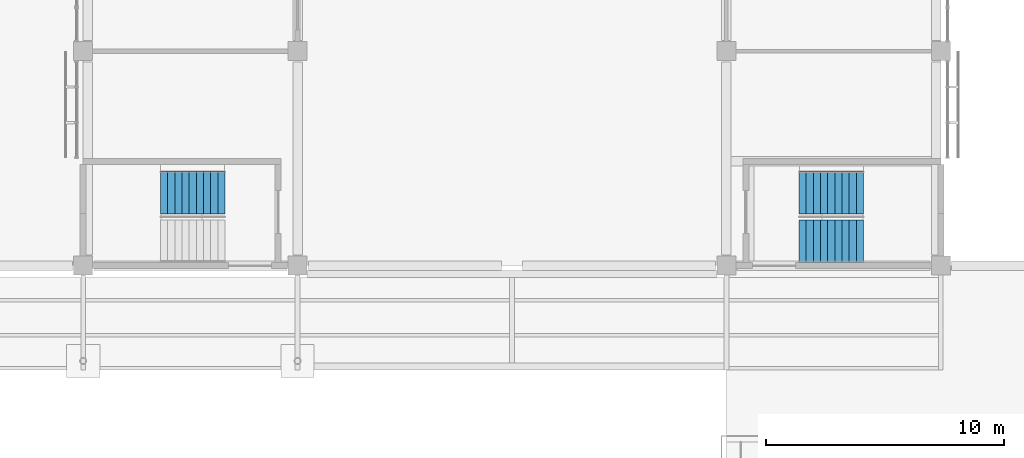
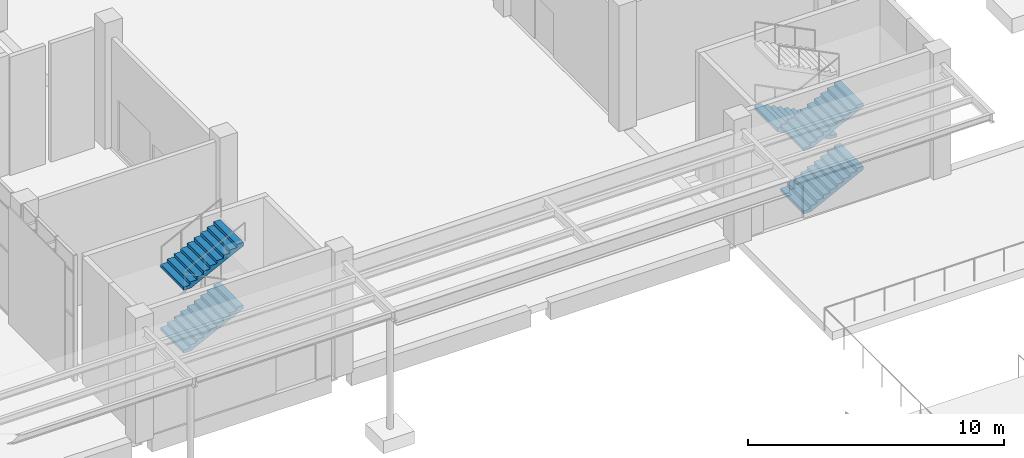
# One storey, part 69 of 86: 5 stair flights, 2 elements without a shape of their own.
"""IFC4 building model written with IfcOpenShell, lengths in metres."""

from ifc_helpers import new_model, si_unit, direction, frame, origin, place, context, subcontext, project, spatial, faceted_brep, material, type_object, element, aggregate, save


model = new_model("IFC4")

# Units and contexts
model_context = context("Model", 3, precision=1e-05, world=origin(), true_north=direction((0.0, 1.0)))
body_context = subcontext(model_context, "Body", "Model", "MODEL_VIEW")
ifc_project = project(units=[si_unit("LENGTHUNIT", "METRE"), si_unit("AREAUNIT", "SQUARE_METRE"), si_unit("VOLUMEUNIT", "CUBIC_METRE"), si_unit("PLANEANGLEUNIT", "RADIAN"), si_unit("MASSUNIT", "GRAM", prefix="KILO")], contexts=[model_context])

# Site, building, storey
site_placement = place(None, origin())
site = spatial("IfcSite", under=ifc_project, at=site_placement, CompositionType="ELEMENT")
building_placement = place(site_placement, origin())
building = spatial("IfcBuilding", under=site, at=building_placement, Name="Guidao Yard Department Store", CompositionType="ELEMENT")
storey_placement = place(building_placement, origin())
storey = spatial("IfcBuildingStorey", under=building, at=storey_placement, Name="L00", CompositionType="ELEMENT", Elevation=0.0)

# Stair, stair flights
ifc_material_1 = material(Name="Concrete C35", Category="concrete")
stair_type = type_object("IfcStairType", Name="Stair double-return four-flight 1800 wide 6.0 m rise", PredefinedType="DOUBLE_RETURN_STAIR", material=ifc_material_1)
stair_1_placement = place(storey_placement, origin())
stair_1 = element("IfcStair", 1, at=stair_1_placement, inside=storey, type_object=stair_type, Name="Stair G1 L00 to L01", PredefinedType="DOUBLE_RETURN_STAIR")
ifc_material_2 = material(Name="Concrete C35", Category="concrete")
stair_flight_type = type_object("IfcStairFlightType", Name="Stair flight RC straight 1800 wide 10 risers x 300 going C35", PredefinedType="STRAIGHT", material=ifc_material_2)
stair_flight_1_placement = place(storey_placement, frame((75.25, 48.074951171875, 1.5), z_axis=(0.0, 0.0, 1.0), x_axis=(1.0, 0.0, 0.0)))
stair_flight_1 = element("IfcStairFlight", 2, at=stair_flight_1_placement, type_object=stair_flight_type, Name="SG1-L00 flight 2", NumberOfRisers=10, NumberOfTreads=9, PredefinedType="STRAIGHT", RiserHeight=0.15, TreadLength=0.3, context=body_context, shape_type="Brep", body=[
    faceted_brep([(0.0, 0.89990234375, 0.0), (0.0, 0.89990234375, 0.14990234375), (0.300048828125, 0.89990234375, 0.14990234375), (0.300048828125, 0.89990234375, 0.300048828125), (0.60009765625, 0.89990234375, 0.300048828125), (0.60009765625, 0.89990234375, 0.449951171875), (0.89990234375, 0.89990234375, 0.449951171875), (0.89990234375, 0.89990234375, 0.60009765625), (1.199951171875, 0.89990234375, 0.60009765625), (1.199951171875, 0.89990234375, 0.75), (1.5, 0.89990234375, 0.75), (1.5, 0.89990234375, 0.89990234375), (1.800048828125, 0.89990234375, 0.89990234375), (1.800048828125, 0.89990234375, 1.050048828125), (2.10009765625, 0.89990234375, 1.050048828125), (2.10009765625, 0.89990234375, 1.199951171875), (2.39990234375, 0.89990234375, 1.199951171875), (2.39990234375, 0.89990234375, 1.35009765625), (2.699951171875, 0.89990234375, 1.35009765625), (2.699951171875, 0.89990234375, 1.182373046875), (0.335205078125, 0.89990234375, 0.0), (0.335205078125, -0.89990234375, 0.0), (2.699951171875, -0.89990234375, 1.182373046875), (2.699951171875, -0.89990234375, 1.35009765625), (2.39990234375, -0.89990234375, 1.35009765625), (2.39990234375, -0.89990234375, 1.199951171875), (2.10009765625, -0.89990234375, 1.199951171875), (2.10009765625, -0.89990234375, 1.050048828125), (1.800048828125, -0.89990234375, 1.050048828125), (1.800048828125, -0.89990234375, 0.89990234375), (1.5, -0.89990234375, 0.89990234375), (1.5, -0.89990234375, 0.75), (1.199951171875, -0.89990234375, 0.75), (1.199951171875, -0.89990234375, 0.60009765625), (0.89990234375, -0.89990234375, 0.60009765625), (0.89990234375, -0.89990234375, 0.449951171875), (0.60009765625, -0.89990234375, 0.449951171875), (0.60009765625, -0.89990234375, 0.300048828125), (0.300048828125, -0.89990234375, 0.300048828125), (0.300048828125, -0.89990234375, 0.14990234375), (0.0, -0.89990234375, 0.14990234375), (0.0, -0.89990234375, 0.0), (0.0, 0.300048828125, 0.0), (0.0, 0.300048828125, 0.14990234375), (0.0, -0.300048828125, 0.0), (0.0, -0.300048828125, 0.14990234375), (0.300048828125, 0.300048828125, 0.14990234375), (0.300048828125, -0.300048828125, 0.14990234375), (0.300048828125, 0.300048828125, 0.300048828125), (0.300048828125, -0.300048828125, 0.300048828125), (0.60009765625, 0.300048828125, 0.300048828125), (0.60009765625, -0.300048828125, 0.300048828125), (0.60009765625, 0.300048828125, 0.449951171875), (0.60009765625, -0.300048828125, 0.449951171875), (0.89990234375, 0.300048828125, 0.449951171875), (0.89990234375, -0.300048828125, 0.449951171875), (0.89990234375, 0.300048828125, 0.60009765625), (0.89990234375, -0.300048828125, 0.60009765625), (1.199951171875, 0.300048828125, 0.60009765625), (1.199951171875, -0.300048828125, 0.60009765625), (1.199951171875, 0.300048828125, 0.75), (1.199951171875, -0.300048828125, 0.75), (1.5, 0.300048828125, 0.75), (1.5, -0.300048828125, 0.75), (1.5, 0.300048828125, 0.89990234375), (1.5, -0.300048828125, 0.89990234375), (1.800048828125, 0.300048828125, 0.89990234375), (1.800048828125, -0.300048828125, 0.89990234375), (1.800048828125, 0.300048828125, 1.050048828125), (1.800048828125, -0.300048828125, 1.050048828125), (2.10009765625, 0.300048828125, 1.050048828125), (2.10009765625, -0.300048828125, 1.050048828125), (2.10009765625, 0.300048828125, 1.199951171875), (2.10009765625, -0.300048828125, 1.199951171875), (2.39990234375, 0.300048828125, 1.199951171875), (2.39990234375, -0.300048828125, 1.199951171875), (2.39990234375, 0.300048828125, 1.35009765625), (2.39990234375, -0.300048828125, 1.35009765625), (2.699951171875, 0.300048828125, 1.35009765625), (2.699951171875, -0.300048828125, 1.35009765625), (2.699951171875, 0.300048828125, 1.182373046875), (2.699951171875, -0.300048828125, 1.182373046875), (0.335205078125, 0.300048828125, 0.0), (0.335205078125, -0.300048828125, 0.0)], [[[0, 1, 2, 3, 4, 5, 6, 7, 8, 9, 10, 11, 12, 13, 14, 15, 16, 17, 18, 19, 20]], [[21, 22, 23, 24, 25, 26, 27, 28, 29, 30, 31, 32, 33, 34, 35, 36, 37, 38, 39, 40, 41]], [[42, 43, 1, 0]], [[44, 45, 43, 42]], [[41, 40, 45, 44]], [[43, 46, 2, 1]], [[45, 47, 46, 43]], [[40, 39, 47, 45]], [[46, 48, 3, 2]], [[47, 49, 48, 46]], [[39, 38, 49, 47]], [[48, 50, 4, 3]], [[49, 51, 50, 48]], [[38, 37, 51, 49]], [[50, 52, 5, 4]], [[51, 53, 52, 50]], [[37, 36, 53, 51]], [[52, 54, 6, 5]], [[53, 55, 54, 52]], [[36, 35, 55, 53]], [[54, 56, 7, 6]], [[55, 57, 56, 54]], [[35, 34, 57, 55]], [[56, 58, 8, 7]], [[57, 59, 58, 56]], [[34, 33, 59, 57]], [[58, 60, 9, 8]], [[59, 61, 60, 58]], [[33, 32, 61, 59]], [[60, 62, 10, 9]], [[61, 63, 62, 60]], [[32, 31, 63, 61]], [[62, 64, 11, 10]], [[63, 65, 64, 62]], [[31, 30, 65, 63]], [[64, 66, 12, 11]], [[65, 67, 66, 64]], [[30, 29, 67, 65]], [[66, 68, 13, 12]], [[67, 69, 68, 66]], [[29, 28, 69, 67]], [[68, 70, 14, 13]], [[69, 71, 70, 68]], [[28, 27, 71, 69]], [[70, 72, 15, 14]], [[71, 73, 72, 70]], [[27, 26, 73, 71]], [[72, 74, 16, 15]], [[73, 75, 74, 72]], [[26, 25, 75, 73]], [[74, 76, 17, 16]], [[75, 77, 76, 74]], [[25, 24, 77, 75]], [[76, 78, 18, 17]], [[77, 79, 78, 76]], [[24, 23, 79, 77]], [[78, 80, 19, 18]], [[79, 81, 80, 78]], [[23, 22, 81, 79]], [[80, 82, 20, 19]], [[81, 83, 82, 80]], [[22, 21, 83, 81]], [[82, 42, 0, 20]], [[83, 44, 42, 82]], [[21, 41, 44, 83]]]),
])
stair_flight_2_placement = place(storey_placement, frame((75.25, 48.074951171875, 4.5), z_axis=(0.0, 0.0, 1.0), x_axis=(1.0, 0.0, 0.0)))
stair_flight_2 = element("IfcStairFlight", 3, at=stair_flight_2_placement, type_object=stair_flight_type, Name="SG1-L00 flight 4", NumberOfRisers=10, NumberOfTreads=9, PredefinedType="STRAIGHT", RiserHeight=0.15, TreadLength=0.3, context=body_context, shape_type="Brep", body=[
    faceted_brep([(0.0, 0.89990234375, 0.0), (0.0, 0.89990234375, 0.14990234375), (0.300048828125, 0.89990234375, 0.14990234375), (0.300048828125, 0.89990234375, 0.300048828125), (0.60009765625, 0.89990234375, 0.300048828125), (0.60009765625, 0.89990234375, 0.449951171875), (0.89990234375, 0.89990234375, 0.449951171875), (0.89990234375, 0.89990234375, 0.60009765625), (1.199951171875, 0.89990234375, 0.60009765625), (1.199951171875, 0.89990234375, 0.75), (1.5, 0.89990234375, 0.75), (1.5, 0.89990234375, 0.89990234375), (1.800048828125, 0.89990234375, 0.89990234375), (1.800048828125, 0.89990234375, 1.050048828125), (2.10009765625, 0.89990234375, 1.050048828125), (2.10009765625, 0.89990234375, 1.199951171875), (2.39990234375, 0.89990234375, 1.199951171875), (2.39990234375, 0.89990234375, 1.35009765625), (2.699951171875, 0.89990234375, 1.35009765625), (2.699951171875, 0.89990234375, 1.182373046875), (0.335205078125, 0.89990234375, 0.0), (0.335205078125, -0.89990234375, 0.0), (2.699951171875, -0.89990234375, 1.182373046875), (2.699951171875, -0.89990234375, 1.35009765625), (2.39990234375, -0.89990234375, 1.35009765625), (2.39990234375, -0.89990234375, 1.199951171875), (2.10009765625, -0.89990234375, 1.199951171875), (2.10009765625, -0.89990234375, 1.050048828125), (1.800048828125, -0.89990234375, 1.050048828125), (1.800048828125, -0.89990234375, 0.89990234375), (1.5, -0.89990234375, 0.89990234375), (1.5, -0.89990234375, 0.75), (1.199951171875, -0.89990234375, 0.75), (1.199951171875, -0.89990234375, 0.60009765625), (0.89990234375, -0.89990234375, 0.60009765625), (0.89990234375, -0.89990234375, 0.449951171875), (0.60009765625, -0.89990234375, 0.449951171875), (0.60009765625, -0.89990234375, 0.300048828125), (0.300048828125, -0.89990234375, 0.300048828125), (0.300048828125, -0.89990234375, 0.14990234375), (0.0, -0.89990234375, 0.14990234375), (0.0, -0.89990234375, 0.0), (0.0, 0.300048828125, 0.0), (0.0, 0.300048828125, 0.14990234375), (0.0, -0.300048828125, 0.0), (0.0, -0.300048828125, 0.14990234375), (0.300048828125, 0.300048828125, 0.14990234375), (0.300048828125, -0.300048828125, 0.14990234375), (0.300048828125, 0.300048828125, 0.300048828125), (0.300048828125, -0.300048828125, 0.300048828125), (0.60009765625, 0.300048828125, 0.300048828125), (0.60009765625, -0.300048828125, 0.300048828125), (0.60009765625, 0.300048828125, 0.449951171875), (0.60009765625, -0.300048828125, 0.449951171875), (0.89990234375, 0.300048828125, 0.449951171875), (0.89990234375, -0.300048828125, 0.449951171875), (0.89990234375, 0.300048828125, 0.60009765625), (0.89990234375, -0.300048828125, 0.60009765625), (1.199951171875, 0.300048828125, 0.60009765625), (1.199951171875, -0.300048828125, 0.60009765625), (1.199951171875, 0.300048828125, 0.75), (1.199951171875, -0.300048828125, 0.75), (1.5, 0.300048828125, 0.75), (1.5, -0.300048828125, 0.75), (1.5, 0.300048828125, 0.89990234375), (1.5, -0.300048828125, 0.89990234375), (1.800048828125, 0.300048828125, 0.89990234375), (1.800048828125, -0.300048828125, 0.89990234375), (1.800048828125, 0.300048828125, 1.050048828125), (1.800048828125, -0.300048828125, 1.050048828125), (2.10009765625, 0.300048828125, 1.050048828125), (2.10009765625, -0.300048828125, 1.050048828125), (2.10009765625, 0.300048828125, 1.199951171875), (2.10009765625, -0.300048828125, 1.199951171875), (2.39990234375, 0.300048828125, 1.199951171875), (2.39990234375, -0.300048828125, 1.199951171875), (2.39990234375, 0.300048828125, 1.35009765625), (2.39990234375, -0.300048828125, 1.35009765625), (2.699951171875, 0.300048828125, 1.35009765625), (2.699951171875, -0.300048828125, 1.35009765625), (2.699951171875, 0.300048828125, 1.182373046875), (2.699951171875, -0.300048828125, 1.182373046875), (0.335205078125, 0.300048828125, 0.0), (0.335205078125, -0.300048828125, 0.0)], [[[0, 1, 2, 3, 4, 5, 6, 7, 8, 9, 10, 11, 12, 13, 14, 15, 16, 17, 18, 19, 20]], [[21, 22, 23, 24, 25, 26, 27, 28, 29, 30, 31, 32, 33, 34, 35, 36, 37, 38, 39, 40, 41]], [[42, 43, 1, 0]], [[44, 45, 43, 42]], [[41, 40, 45, 44]], [[43, 46, 2, 1]], [[45, 47, 46, 43]], [[40, 39, 47, 45]], [[46, 48, 3, 2]], [[47, 49, 48, 46]], [[39, 38, 49, 47]], [[48, 50, 4, 3]], [[49, 51, 50, 48]], [[38, 37, 51, 49]], [[50, 52, 5, 4]], [[51, 53, 52, 50]], [[37, 36, 53, 51]], [[52, 54, 6, 5]], [[53, 55, 54, 52]], [[36, 35, 55, 53]], [[54, 56, 7, 6]], [[55, 57, 56, 54]], [[35, 34, 57, 55]], [[56, 58, 8, 7]], [[57, 59, 58, 56]], [[34, 33, 59, 57]], [[58, 60, 9, 8]], [[59, 61, 60, 58]], [[33, 32, 61, 59]], [[60, 62, 10, 9]], [[61, 63, 62, 60]], [[32, 31, 63, 61]], [[62, 64, 11, 10]], [[63, 65, 64, 62]], [[31, 30, 65, 63]], [[64, 66, 12, 11]], [[65, 67, 66, 64]], [[30, 29, 67, 65]], [[66, 68, 13, 12]], [[67, 69, 68, 66]], [[29, 28, 69, 67]], [[68, 70, 14, 13]], [[69, 71, 70, 68]], [[28, 27, 71, 69]], [[70, 72, 15, 14]], [[71, 73, 72, 70]], [[27, 26, 73, 71]], [[72, 74, 16, 15]], [[73, 75, 74, 72]], [[26, 25, 75, 73]], [[74, 76, 17, 16]], [[75, 77, 76, 74]], [[25, 24, 77, 75]], [[76, 78, 18, 17]], [[77, 79, 78, 76]], [[24, 23, 79, 77]], [[78, 80, 19, 18]], [[79, 81, 80, 78]], [[23, 22, 81, 79]], [[80, 82, 20, 19]], [[81, 83, 82, 80]], [[22, 21, 83, 81]], [[82, 42, 0, 20]], [[83, 44, 42, 82]], [[21, 41, 44, 83]]]),
])
aggregate(stair_1, [stair_flight_1, stair_flight_2])

stair_2_placement = place(storey_placement, origin())
stair_2 = element("IfcStair", 4, at=stair_2_placement, inside=storey, type_object=stair_type, Name="Stair G3 L00 to L01", PredefinedType="DOUBLE_RETURN_STAIR")
stair_flight_3_placement = place(storey_placement, frame((102.050048828125, 46.02490234375, 0.0), z_axis=(0.0, 0.0, 1.0), x_axis=(1.0, 0.0, 0.0)))
stair_flight_3 = element("IfcStairFlight", 5, at=stair_flight_3_placement, type_object=stair_flight_type, Name="SG3-L00 flight 1", NumberOfRisers=10, NumberOfTreads=9, PredefinedType="STRAIGHT", RiserHeight=0.15, TreadLength=0.3, context=body_context, shape_type="Brep", body=[
    faceted_brep([(0.0, 0.89990234375, 0.0), (0.0, 0.89990234375, 0.14990234375), (0.300048828125, 0.89990234375, 0.14990234375), (0.300048828125, 0.89990234375, 0.300048828125), (0.60009765625, 0.89990234375, 0.300048828125), (0.60009765625, 0.89990234375, 0.449951171875), (0.89990234375, 0.89990234375, 0.449951171875), (0.89990234375, 0.89990234375, 0.60009765625), (1.199951171875, 0.89990234375, 0.60009765625), (1.199951171875, 0.89990234375, 0.75), (1.5, 0.89990234375, 0.75), (1.5, 0.89990234375, 0.89990234375), (1.800048828125, 0.89990234375, 0.89990234375), (1.800048828125, 0.89990234375, 1.050048828125), (2.10009765625, 0.89990234375, 1.050048828125), (2.10009765625, 0.89990234375, 1.199951171875), (2.39990234375, 0.89990234375, 1.199951171875), (2.39990234375, 0.89990234375, 1.35009765625), (2.699951171875, 0.89990234375, 1.35009765625), (2.699951171875, 0.89990234375, 1.182373046875), (0.335205078125, 0.89990234375, 0.0), (0.335205078125, -0.89990234375, 0.0), (2.699951171875, -0.89990234375, 1.182373046875), (2.699951171875, -0.89990234375, 1.35009765625), (2.39990234375, -0.89990234375, 1.35009765625), (2.39990234375, -0.89990234375, 1.199951171875), (2.10009765625, -0.89990234375, 1.199951171875), (2.10009765625, -0.89990234375, 1.050048828125), (1.800048828125, -0.89990234375, 1.050048828125), (1.800048828125, -0.89990234375, 0.89990234375), (1.5, -0.89990234375, 0.89990234375), (1.5, -0.89990234375, 0.75), (1.199951171875, -0.89990234375, 0.75), (1.199951171875, -0.89990234375, 0.60009765625), (0.89990234375, -0.89990234375, 0.60009765625), (0.89990234375, -0.89990234375, 0.449951171875), (0.60009765625, -0.89990234375, 0.449951171875), (0.60009765625, -0.89990234375, 0.300048828125), (0.300048828125, -0.89990234375, 0.300048828125), (0.300048828125, -0.89990234375, 0.14990234375), (0.0, -0.89990234375, 0.14990234375), (0.0, -0.89990234375, 0.0), (0.0, 0.300048828125, 0.0), (0.0, 0.300048828125, 0.14990234375), (0.0, -0.300048828125, 0.0), (0.0, -0.300048828125, 0.14990234375), (0.300048828125, 0.300048828125, 0.14990234375), (0.300048828125, -0.300048828125, 0.14990234375), (0.300048828125, 0.300048828125, 0.300048828125), (0.300048828125, -0.300048828125, 0.300048828125), (0.60009765625, 0.300048828125, 0.300048828125), (0.60009765625, -0.300048828125, 0.300048828125), (0.60009765625, 0.300048828125, 0.449951171875), (0.60009765625, -0.300048828125, 0.449951171875), (0.89990234375, 0.300048828125, 0.449951171875), (0.89990234375, -0.300048828125, 0.449951171875), (0.89990234375, 0.300048828125, 0.60009765625), (0.89990234375, -0.300048828125, 0.60009765625), (1.199951171875, 0.300048828125, 0.60009765625), (1.199951171875, -0.300048828125, 0.60009765625), (1.199951171875, 0.300048828125, 0.75), (1.199951171875, -0.300048828125, 0.75), (1.5, 0.300048828125, 0.75), (1.5, -0.300048828125, 0.75), (1.5, 0.300048828125, 0.89990234375), (1.5, -0.300048828125, 0.89990234375), (1.800048828125, 0.300048828125, 0.89990234375), (1.800048828125, -0.300048828125, 0.89990234375), (1.800048828125, 0.300048828125, 1.050048828125), (1.800048828125, -0.300048828125, 1.050048828125), (2.10009765625, 0.300048828125, 1.050048828125), (2.10009765625, -0.300048828125, 1.050048828125), (2.10009765625, 0.300048828125, 1.199951171875), (2.10009765625, -0.300048828125, 1.199951171875), (2.39990234375, 0.300048828125, 1.199951171875), (2.39990234375, -0.300048828125, 1.199951171875), (2.39990234375, 0.300048828125, 1.35009765625), (2.39990234375, -0.300048828125, 1.35009765625), (2.699951171875, 0.300048828125, 1.35009765625), (2.699951171875, -0.300048828125, 1.35009765625), (2.699951171875, 0.300048828125, 1.182373046875), (2.699951171875, -0.300048828125, 1.182373046875), (0.335205078125, 0.300048828125, 0.0), (0.335205078125, -0.300048828125, 0.0)], [[[0, 1, 2, 3, 4, 5, 6, 7, 8, 9, 10, 11, 12, 13, 14, 15, 16, 17, 18, 19, 20]], [[21, 22, 23, 24, 25, 26, 27, 28, 29, 30, 31, 32, 33, 34, 35, 36, 37, 38, 39, 40, 41]], [[42, 43, 1, 0]], [[44, 45, 43, 42]], [[41, 40, 45, 44]], [[43, 46, 2, 1]], [[45, 47, 46, 43]], [[40, 39, 47, 45]], [[46, 48, 3, 2]], [[47, 49, 48, 46]], [[39, 38, 49, 47]], [[48, 50, 4, 3]], [[49, 51, 50, 48]], [[38, 37, 51, 49]], [[50, 52, 5, 4]], [[51, 53, 52, 50]], [[37, 36, 53, 51]], [[52, 54, 6, 5]], [[53, 55, 54, 52]], [[36, 35, 55, 53]], [[54, 56, 7, 6]], [[55, 57, 56, 54]], [[35, 34, 57, 55]], [[56, 58, 8, 7]], [[57, 59, 58, 56]], [[34, 33, 59, 57]], [[58, 60, 9, 8]], [[59, 61, 60, 58]], [[33, 32, 61, 59]], [[60, 62, 10, 9]], [[61, 63, 62, 60]], [[32, 31, 63, 61]], [[62, 64, 11, 10]], [[63, 65, 64, 62]], [[31, 30, 65, 63]], [[64, 66, 12, 11]], [[65, 67, 66, 64]], [[30, 29, 67, 65]], [[66, 68, 13, 12]], [[67, 69, 68, 66]], [[29, 28, 69, 67]], [[68, 70, 14, 13]], [[69, 71, 70, 68]], [[28, 27, 71, 69]], [[70, 72, 15, 14]], [[71, 73, 72, 70]], [[27, 26, 73, 71]], [[72, 74, 16, 15]], [[73, 75, 74, 72]], [[26, 25, 75, 73]], [[74, 76, 17, 16]], [[75, 77, 76, 74]], [[25, 24, 77, 75]], [[76, 78, 18, 17]], [[77, 79, 78, 76]], [[24, 23, 79, 77]], [[78, 80, 19, 18]], [[79, 81, 80, 78]], [[23, 22, 81, 79]], [[80, 82, 20, 19]], [[81, 83, 82, 80]], [[22, 21, 83, 81]], [[82, 42, 0, 20]], [[83, 44, 42, 82]], [[21, 41, 44, 83]]]),
])
stair_flight_4_placement = place(storey_placement, frame((104.75, 48.074951171875, 1.5), z_axis=(0.0, 0.0, 1.0), x_axis=(-1.0, 0.0, 0.0)))
stair_flight_4 = element("IfcStairFlight", 6, at=stair_flight_4_placement, type_object=stair_flight_type, Name="SG3-L00 flight 2", NumberOfRisers=10, NumberOfTreads=9, PredefinedType="STRAIGHT", RiserHeight=0.15, TreadLength=0.3, context=body_context, shape_type="Brep", body=[
    faceted_brep([(0.0, 0.89990234375, 0.0), (0.0, 0.89990234375, 0.14990234375), (0.300048828125, 0.89990234375, 0.14990234375), (0.300048828125, 0.89990234375, 0.300048828125), (0.60009765625, 0.89990234375, 0.300048828125), (0.60009765625, 0.89990234375, 0.449951171875), (0.89990234375, 0.89990234375, 0.449951171875), (0.89990234375, 0.89990234375, 0.60009765625), (1.199951171875, 0.89990234375, 0.60009765625), (1.199951171875, 0.89990234375, 0.75), (1.5, 0.89990234375, 0.75), (1.5, 0.89990234375, 0.89990234375), (1.800048828125, 0.89990234375, 0.89990234375), (1.800048828125, 0.89990234375, 1.050048828125), (2.10009765625, 0.89990234375, 1.050048828125), (2.10009765625, 0.89990234375, 1.199951171875), (2.39990234375, 0.89990234375, 1.199951171875), (2.39990234375, 0.89990234375, 1.35009765625), (2.699951171875, 0.89990234375, 1.35009765625), (2.699951171875, 0.89990234375, 1.182373046875), (0.335205078125, 0.89990234375, 0.0), (0.335205078125, -0.89990234375, 0.0), (2.699951171875, -0.89990234375, 1.182373046875), (2.699951171875, -0.89990234375, 1.35009765625), (2.39990234375, -0.89990234375, 1.35009765625), (2.39990234375, -0.89990234375, 1.199951171875), (2.10009765625, -0.89990234375, 1.199951171875), (2.10009765625, -0.89990234375, 1.050048828125), (1.800048828125, -0.89990234375, 1.050048828125), (1.800048828125, -0.89990234375, 0.89990234375), (1.5, -0.89990234375, 0.89990234375), (1.5, -0.89990234375, 0.75), (1.199951171875, -0.89990234375, 0.75), (1.199951171875, -0.89990234375, 0.60009765625), (0.89990234375, -0.89990234375, 0.60009765625), (0.89990234375, -0.89990234375, 0.449951171875), (0.60009765625, -0.89990234375, 0.449951171875), (0.60009765625, -0.89990234375, 0.300048828125), (0.300048828125, -0.89990234375, 0.300048828125), (0.300048828125, -0.89990234375, 0.14990234375), (0.0, -0.89990234375, 0.14990234375), (0.0, -0.89990234375, 0.0), (0.0, 0.300048828125, 0.0), (0.0, 0.300048828125, 0.14990234375), (0.0, -0.300048828125, 0.0), (0.0, -0.300048828125, 0.14990234375), (0.300048828125, 0.300048828125, 0.14990234375), (0.300048828125, -0.300048828125, 0.14990234375), (0.300048828125, 0.300048828125, 0.300048828125), (0.300048828125, -0.300048828125, 0.300048828125), (0.60009765625, 0.300048828125, 0.300048828125), (0.60009765625, -0.300048828125, 0.300048828125), (0.60009765625, 0.300048828125, 0.449951171875), (0.60009765625, -0.300048828125, 0.449951171875), (0.89990234375, 0.300048828125, 0.449951171875), (0.89990234375, -0.300048828125, 0.449951171875), (0.89990234375, 0.300048828125, 0.60009765625), (0.89990234375, -0.300048828125, 0.60009765625), (1.199951171875, 0.300048828125, 0.60009765625), (1.199951171875, -0.300048828125, 0.60009765625), (1.199951171875, 0.300048828125, 0.75), (1.199951171875, -0.300048828125, 0.75), (1.5, 0.300048828125, 0.75), (1.5, -0.300048828125, 0.75), (1.5, 0.300048828125, 0.89990234375), (1.5, -0.300048828125, 0.89990234375), (1.800048828125, 0.300048828125, 0.89990234375), (1.800048828125, -0.300048828125, 0.89990234375), (1.800048828125, 0.300048828125, 1.050048828125), (1.800048828125, -0.300048828125, 1.050048828125), (2.10009765625, 0.300048828125, 1.050048828125), (2.10009765625, -0.300048828125, 1.050048828125), (2.10009765625, 0.300048828125, 1.199951171875), (2.10009765625, -0.300048828125, 1.199951171875), (2.39990234375, 0.300048828125, 1.199951171875), (2.39990234375, -0.300048828125, 1.199951171875), (2.39990234375, 0.300048828125, 1.35009765625), (2.39990234375, -0.300048828125, 1.35009765625), (2.699951171875, 0.300048828125, 1.35009765625), (2.699951171875, -0.300048828125, 1.35009765625), (2.699951171875, 0.300048828125, 1.182373046875), (2.699951171875, -0.300048828125, 1.182373046875), (0.335205078125, 0.300048828125, 0.0), (0.335205078125, -0.300048828125, 0.0)], [[[0, 1, 2, 3, 4, 5, 6, 7, 8, 9, 10, 11, 12, 13, 14, 15, 16, 17, 18, 19, 20]], [[21, 22, 23, 24, 25, 26, 27, 28, 29, 30, 31, 32, 33, 34, 35, 36, 37, 38, 39, 40, 41]], [[42, 43, 1, 0]], [[44, 45, 43, 42]], [[41, 40, 45, 44]], [[43, 46, 2, 1]], [[45, 47, 46, 43]], [[40, 39, 47, 45]], [[46, 48, 3, 2]], [[47, 49, 48, 46]], [[39, 38, 49, 47]], [[48, 50, 4, 3]], [[49, 51, 50, 48]], [[38, 37, 51, 49]], [[50, 52, 5, 4]], [[51, 53, 52, 50]], [[37, 36, 53, 51]], [[52, 54, 6, 5]], [[53, 55, 54, 52]], [[36, 35, 55, 53]], [[54, 56, 7, 6]], [[55, 57, 56, 54]], [[35, 34, 57, 55]], [[56, 58, 8, 7]], [[57, 59, 58, 56]], [[34, 33, 59, 57]], [[58, 60, 9, 8]], [[59, 61, 60, 58]], [[33, 32, 61, 59]], [[60, 62, 10, 9]], [[61, 63, 62, 60]], [[32, 31, 63, 61]], [[62, 64, 11, 10]], [[63, 65, 64, 62]], [[31, 30, 65, 63]], [[64, 66, 12, 11]], [[65, 67, 66, 64]], [[30, 29, 67, 65]], [[66, 68, 13, 12]], [[67, 69, 68, 66]], [[29, 28, 69, 67]], [[68, 70, 14, 13]], [[69, 71, 70, 68]], [[28, 27, 71, 69]], [[70, 72, 15, 14]], [[71, 73, 72, 70]], [[27, 26, 73, 71]], [[72, 74, 16, 15]], [[73, 75, 74, 72]], [[26, 25, 75, 73]], [[74, 76, 17, 16]], [[75, 77, 76, 74]], [[25, 24, 77, 75]], [[76, 78, 18, 17]], [[77, 79, 78, 76]], [[24, 23, 79, 77]], [[78, 80, 19, 18]], [[79, 81, 80, 78]], [[23, 22, 81, 79]], [[80, 82, 20, 19]], [[81, 83, 82, 80]], [[22, 21, 83, 81]], [[82, 42, 0, 20]], [[83, 44, 42, 82]], [[21, 41, 44, 83]]]),
])
stair_flight_5_placement = place(storey_placement, frame((102.050048828125, 46.02490234375, 3.0), z_axis=(0.0, 0.0, 1.0), x_axis=(1.0, 0.0, 0.0)))
stair_flight_5 = element("IfcStairFlight", 7, at=stair_flight_5_placement, type_object=stair_flight_type, Name="SG3-L00 flight 3", NumberOfRisers=10, NumberOfTreads=9, PredefinedType="STRAIGHT", RiserHeight=0.15, TreadLength=0.3, context=body_context, shape_type="Brep", body=[
    faceted_brep([(0.0, 0.89990234375, 0.0), (0.0, 0.89990234375, 0.14990234375), (0.300048828125, 0.89990234375, 0.14990234375), (0.300048828125, 0.89990234375, 0.300048828125), (0.60009765625, 0.89990234375, 0.300048828125), (0.60009765625, 0.89990234375, 0.449951171875), (0.89990234375, 0.89990234375, 0.449951171875), (0.89990234375, 0.89990234375, 0.60009765625), (1.199951171875, 0.89990234375, 0.60009765625), (1.199951171875, 0.89990234375, 0.75), (1.5, 0.89990234375, 0.75), (1.5, 0.89990234375, 0.89990234375), (1.800048828125, 0.89990234375, 0.89990234375), (1.800048828125, 0.89990234375, 1.050048828125), (2.10009765625, 0.89990234375, 1.050048828125), (2.10009765625, 0.89990234375, 1.199951171875), (2.39990234375, 0.89990234375, 1.199951171875), (2.39990234375, 0.89990234375, 1.35009765625), (2.699951171875, 0.89990234375, 1.35009765625), (2.699951171875, 0.89990234375, 1.182373046875), (0.335205078125, 0.89990234375, 0.0), (0.335205078125, -0.89990234375, 0.0), (2.699951171875, -0.89990234375, 1.182373046875), (2.699951171875, -0.89990234375, 1.35009765625), (2.39990234375, -0.89990234375, 1.35009765625), (2.39990234375, -0.89990234375, 1.199951171875), (2.10009765625, -0.89990234375, 1.199951171875), (2.10009765625, -0.89990234375, 1.050048828125), (1.800048828125, -0.89990234375, 1.050048828125), (1.800048828125, -0.89990234375, 0.89990234375), (1.5, -0.89990234375, 0.89990234375), (1.5, -0.89990234375, 0.75), (1.199951171875, -0.89990234375, 0.75), (1.199951171875, -0.89990234375, 0.60009765625), (0.89990234375, -0.89990234375, 0.60009765625), (0.89990234375, -0.89990234375, 0.449951171875), (0.60009765625, -0.89990234375, 0.449951171875), (0.60009765625, -0.89990234375, 0.300048828125), (0.300048828125, -0.89990234375, 0.300048828125), (0.300048828125, -0.89990234375, 0.14990234375), (0.0, -0.89990234375, 0.14990234375), (0.0, -0.89990234375, 0.0), (0.0, 0.300048828125, 0.0), (0.0, 0.300048828125, 0.14990234375), (0.0, -0.300048828125, 0.0), (0.0, -0.300048828125, 0.14990234375), (0.300048828125, 0.300048828125, 0.14990234375), (0.300048828125, -0.300048828125, 0.14990234375), (0.300048828125, 0.300048828125, 0.300048828125), (0.300048828125, -0.300048828125, 0.300048828125), (0.60009765625, 0.300048828125, 0.300048828125), (0.60009765625, -0.300048828125, 0.300048828125), (0.60009765625, 0.300048828125, 0.449951171875), (0.60009765625, -0.300048828125, 0.449951171875), (0.89990234375, 0.300048828125, 0.449951171875), (0.89990234375, -0.300048828125, 0.449951171875), (0.89990234375, 0.300048828125, 0.60009765625), (0.89990234375, -0.300048828125, 0.60009765625), (1.199951171875, 0.300048828125, 0.60009765625), (1.199951171875, -0.300048828125, 0.60009765625), (1.199951171875, 0.300048828125, 0.75), (1.199951171875, -0.300048828125, 0.75), (1.5, 0.300048828125, 0.75), (1.5, -0.300048828125, 0.75), (1.5, 0.300048828125, 0.89990234375), (1.5, -0.300048828125, 0.89990234375), (1.800048828125, 0.300048828125, 0.89990234375), (1.800048828125, -0.300048828125, 0.89990234375), (1.800048828125, 0.300048828125, 1.050048828125), (1.800048828125, -0.300048828125, 1.050048828125), (2.10009765625, 0.300048828125, 1.050048828125), (2.10009765625, -0.300048828125, 1.050048828125), (2.10009765625, 0.300048828125, 1.199951171875), (2.10009765625, -0.300048828125, 1.199951171875), (2.39990234375, 0.300048828125, 1.199951171875), (2.39990234375, -0.300048828125, 1.199951171875), (2.39990234375, 0.300048828125, 1.35009765625), (2.39990234375, -0.300048828125, 1.35009765625), (2.699951171875, 0.300048828125, 1.35009765625), (2.699951171875, -0.300048828125, 1.35009765625), (2.699951171875, 0.300048828125, 1.182373046875), (2.699951171875, -0.300048828125, 1.182373046875), (0.335205078125, 0.300048828125, 0.0), (0.335205078125, -0.300048828125, 0.0)], [[[0, 1, 2, 3, 4, 5, 6, 7, 8, 9, 10, 11, 12, 13, 14, 15, 16, 17, 18, 19, 20]], [[21, 22, 23, 24, 25, 26, 27, 28, 29, 30, 31, 32, 33, 34, 35, 36, 37, 38, 39, 40, 41]], [[42, 43, 1, 0]], [[44, 45, 43, 42]], [[41, 40, 45, 44]], [[43, 46, 2, 1]], [[45, 47, 46, 43]], [[40, 39, 47, 45]], [[46, 48, 3, 2]], [[47, 49, 48, 46]], [[39, 38, 49, 47]], [[48, 50, 4, 3]], [[49, 51, 50, 48]], [[38, 37, 51, 49]], [[50, 52, 5, 4]], [[51, 53, 52, 50]], [[37, 36, 53, 51]], [[52, 54, 6, 5]], [[53, 55, 54, 52]], [[36, 35, 55, 53]], [[54, 56, 7, 6]], [[55, 57, 56, 54]], [[35, 34, 57, 55]], [[56, 58, 8, 7]], [[57, 59, 58, 56]], [[34, 33, 59, 57]], [[58, 60, 9, 8]], [[59, 61, 60, 58]], [[33, 32, 61, 59]], [[60, 62, 10, 9]], [[61, 63, 62, 60]], [[32, 31, 63, 61]], [[62, 64, 11, 10]], [[63, 65, 64, 62]], [[31, 30, 65, 63]], [[64, 66, 12, 11]], [[65, 67, 66, 64]], [[30, 29, 67, 65]], [[66, 68, 13, 12]], [[67, 69, 68, 66]], [[29, 28, 69, 67]], [[68, 70, 14, 13]], [[69, 71, 70, 68]], [[28, 27, 71, 69]], [[70, 72, 15, 14]], [[71, 73, 72, 70]], [[27, 26, 73, 71]], [[72, 74, 16, 15]], [[73, 75, 74, 72]], [[26, 25, 75, 73]], [[74, 76, 17, 16]], [[75, 77, 76, 74]], [[25, 24, 77, 75]], [[76, 78, 18, 17]], [[77, 79, 78, 76]], [[24, 23, 79, 77]], [[78, 80, 19, 18]], [[79, 81, 80, 78]], [[23, 22, 81, 79]], [[80, 82, 20, 19]], [[81, 83, 82, 80]], [[22, 21, 83, 81]], [[82, 42, 0, 20]], [[83, 44, 42, 82]], [[21, 41, 44, 83]]]),
])
aggregate(stair_2, [stair_flight_3, stair_flight_4, stair_flight_5])

save(model, "model.ifc")
